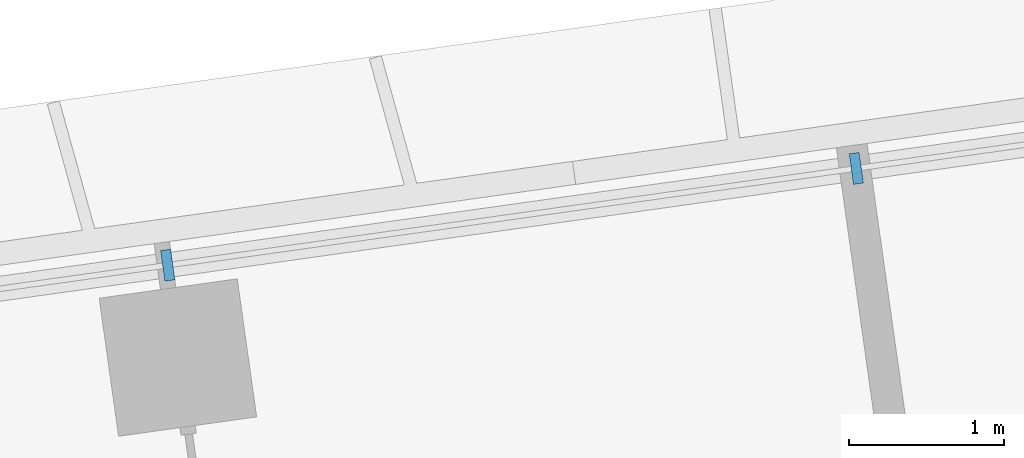
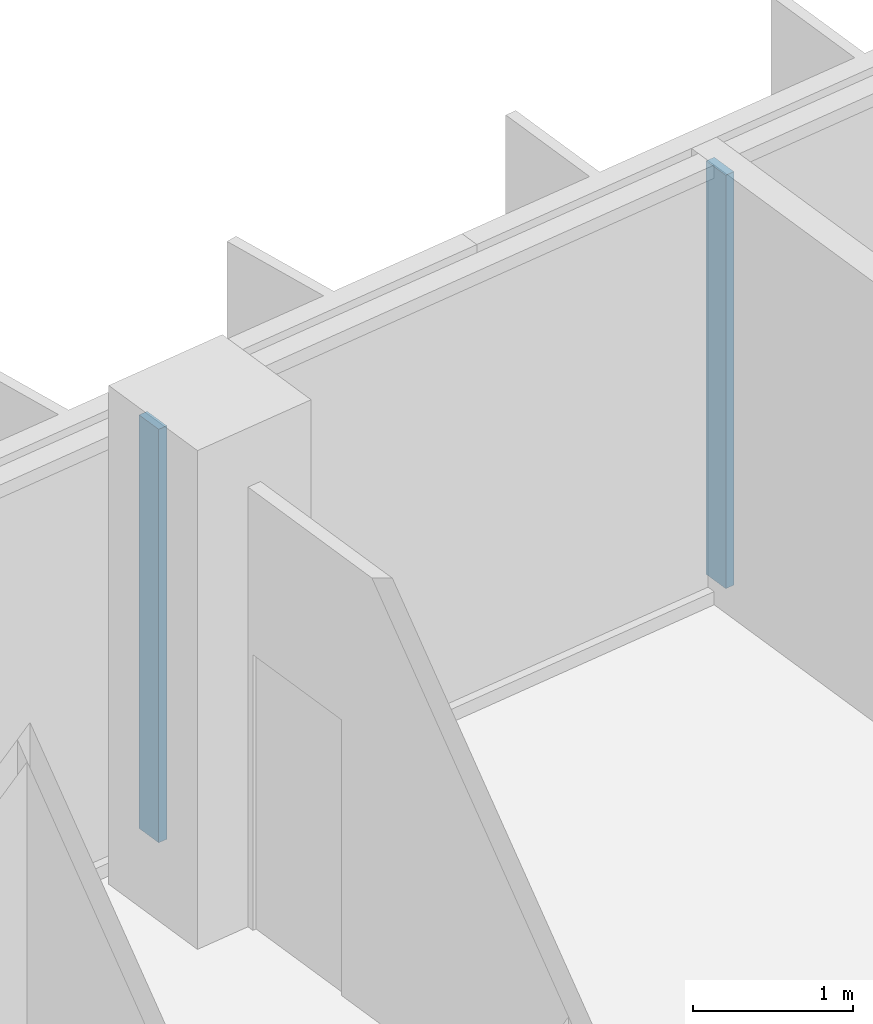
# One storey, part 8 of 26: 2 members, 1 element without a shape of its own.
"""IFC4 building model written with IfcOpenShell, lengths in metres."""

from ifc_helpers import new_model, si_unit, direction, frame, origin, origin_2d, place, context, subcontext, project, spatial, rectangle, extrude, material, material_profile, profile_set, type_object, element, aggregate, save


model = new_model("IFC4")

# Units and contexts
model_context = context("Model", 3, precision=1e-05, world=origin(), true_north=direction((0.0, 1.0)))
body_context = subcontext(model_context, "Body", "Model", "MODEL_VIEW")
ifc_project = project(units=[si_unit("LENGTHUNIT", "METRE"), si_unit("AREAUNIT", "SQUARE_METRE"), si_unit("VOLUMEUNIT", "CUBIC_METRE"), si_unit("PLANEANGLEUNIT", "RADIAN"), si_unit("MASSUNIT", "GRAM", prefix="KILO")], contexts=[model_context])

# Site, building, storey
site_placement = place(None, origin())
site = spatial("IfcSite", under=ifc_project, at=site_placement, CompositionType="ELEMENT")
building_placement = place(site_placement, origin())
building = spatial("IfcBuilding", under=site, at=building_placement, Name="Mirante Cascada Hotel Towers", CompositionType="ELEMENT")
storey_placement = place(building_placement, frame((0.0, 0.0, 144.3)))
storey = spatial("IfcBuildingStorey", under=building, at=storey_placement, Name="L33", CompositionType="ELEMENT", Elevation=144.3)

# Curtain wall, members
ifc_material_1 = material(Name="Aluminium mullion and transom frame with clear laminated glass", Category="aluminium")
curtain_wall_type = type_object("IfcCurtainWallType", Name="Ribbon curtain wall ECW1", PredefinedType="NOTDEFINED", material=ifc_material_1)
curtain_wall_placement = place(storey_placement, origin())
curtain_wall = element("IfcCurtainWall", 1, at=curtain_wall_placement, inside=storey, type_object=curtain_wall_type, Name="Front ribbon wall T2 L33", PredefinedType="NOTDEFINED")
ifc_material_2 = material(Name="Anodised aluminium extrusion", Category="aluminium")
ifc_material_profile = material_profile(ifc_material_2, rectangle(XDim=0.2, YDim=0.065, at=origin_2d()), Name="ECW1 MULLION 65x200")
ifc_profile_set = profile_set([ifc_material_profile], Name="Anodised aluminium extrusion")
member_type = type_object("IfcMemberType", Name="ECW1 mullion 65x200", PredefinedType="MULLION", material=ifc_profile_set)
member_1_placement = place(storey_placement, frame((58.5788, 21.0517, 0.1), z_axis=(0.0, 0.0, 1.0), x_axis=(0.1391731, -0.9902681, 0.0)))
member_1 = element("IfcMember", 2, at=member_1_placement, type_object=member_type, Name="ECW1 mullion 9", PredefinedType="MULLION", context=body_context, shape_type="SweptSolid", body=[
    extrude(rectangle(XDim=0.2, YDim=0.065, at=origin_2d()), origin(), (0.0, 0.0, 1.0), 3.15),
])
member_2_placement = place(storey_placement, frame((54.1314, 20.4267, 0.1), z_axis=(0.0, 0.0, 1.0), x_axis=(0.1391731, -0.9902681, 0.0)))
member_2 = element("IfcMember", 3, at=member_2_placement, type_object=member_type, Name="ECW1 mullion 10", PredefinedType="MULLION", context=body_context, shape_type="SweptSolid", body=[
    extrude(rectangle(XDim=0.2, YDim=0.065, at=origin_2d()), origin(), (0.0, 0.0, 1.0), 3.15),
])
aggregate(curtain_wall, [member_1, member_2])

save(model, "model.ifc")
